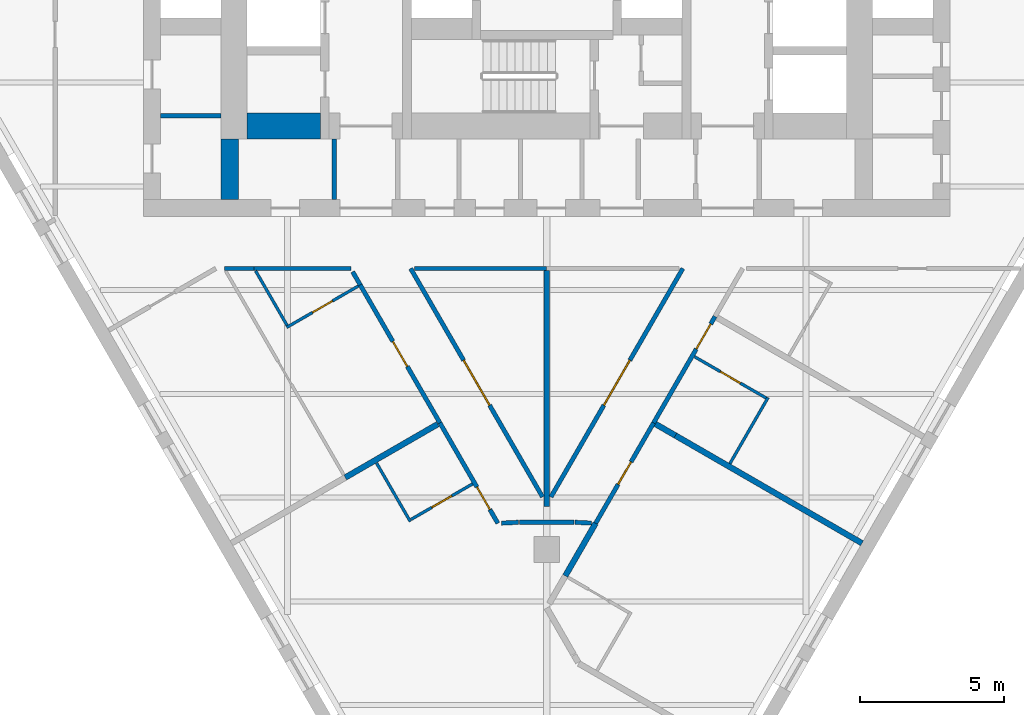
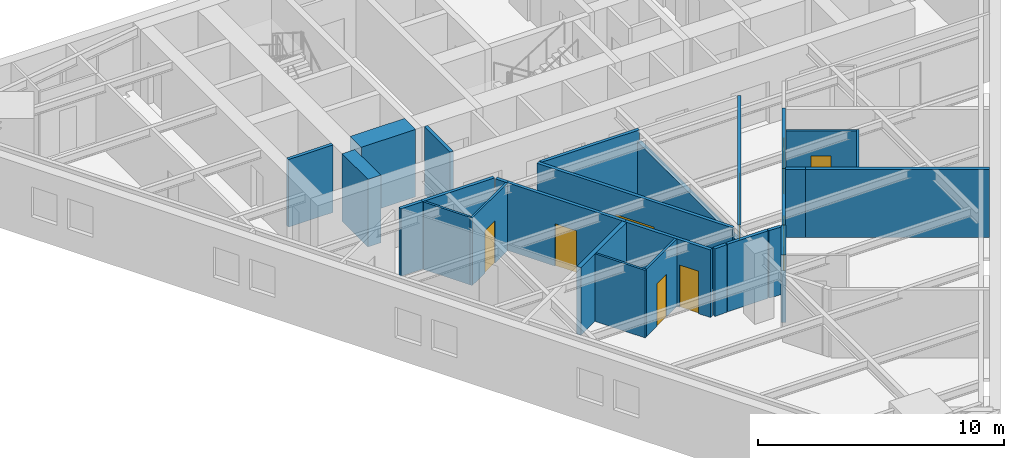
# One storey, part 3 of 9: 28 walls, 9 doors, 9 openings.
"""IFC4 building model written with IfcOpenShell, lengths in metres."""

from ifc_helpers import new_model, si_unit, direction, frame, frame_2d, origin, place, context, subcontext, project, spatial, rectangle, extrude, material, layer, layer_set, type_object, element, fill, save


model = new_model("IFC4")

# Units and contexts
model_context = context("Model", 3, precision=1e-05, world=origin(), true_north=direction((0.0, 1.0)))
body_context = subcontext(model_context, "Body", "Model", "MODEL_VIEW")
ifc_project = project(units=[si_unit("LENGTHUNIT", "METRE"), si_unit("AREAUNIT", "SQUARE_METRE"), si_unit("VOLUMEUNIT", "CUBIC_METRE"), si_unit("PLANEANGLEUNIT", "RADIAN"), si_unit("MASSUNIT", "GRAM", prefix="KILO")], contexts=[model_context])

# Site, building, storey
site_placement = place(None, origin())
site = spatial("IfcSite", under=ifc_project, at=site_placement, CompositionType="ELEMENT")
building_placement = place(site_placement, origin())
building = spatial("IfcBuilding", under=site, at=building_placement, Name="Aloe Facet Convention Tower", CompositionType="ELEMENT")
storey_placement = place(building_placement, frame((0.0, 0.0, 106.300048828125)))
storey = spatial("IfcBuildingStorey", under=building, at=storey_placement, Name="L26", CompositionType="ELEMENT", Elevation=106.300048828125)

# Walls
ifc_material_1 = material(Name="Concrete blockwork partition", Category="masonry")
ifc_layer_1 = layer(ifc_material_1, 0.14990234375)
ifc_layer_set_1 = layer_set([ifc_layer_1], Name="CR-W-PART150")
wall_type_1 = type_object("IfcWallType", Name="CR-W-PART150", PredefinedType="PARTITIONING", material=ifc_layer_set_1)
wall_1_placement = place(storey_placement, frame((66.60009765625, 123.048583984375, 0.0), z_axis=(0.0, 0.0, 1.0), x_axis=(1.0, 0.0, 0.0)))
element("IfcWall", 1, at=wall_1_placement, inside=storey, type_object=wall_type_1, Name="Core partition L26-007", PredefinedType="PARTITIONING", context=body_context, shape_type="SweptSolid", body=[
    extrude(rectangle(XDim=2.099853515625, YDim=0.14990234375, at=frame_2d((1.0498046875, 0.0))), origin(), (0.0, 0.0, 1.0), 3.349853515625),
])
wall_2_placement = place(storey_placement, frame((72.625, 122.25, 0.0), z_axis=(0.0, 0.0, 1.0), x_axis=(0.0, -1.0, 0.0)))
element("IfcWall", 2, at=wall_2_placement, inside=storey, type_object=wall_type_1, Name="Core partition L26-016", PredefinedType="PARTITIONING", context=body_context, shape_type="SweptSolid", body=[
    extrude(rectangle(XDim=2.10009765625, YDim=0.14990234375, at=frame_2d((1.050048828125, 0.0))), origin(), (0.0, 0.0, 1.0), 3.349853515625),
])
ifc_material_2 = material(Name="Concrete C70/85", Category="concrete")
ifc_layer_2 = layer(ifc_material_2, 0.60009765625)
ifc_layer_set_2 = layer_set([ifc_layer_2], Name="CR-W-RC600-C7085")
wall_type_2 = type_object("IfcWallType", Name="CR-W-RC600-C7085", PredefinedType="SOLIDWALL", material=ifc_layer_set_2)
wall_3_placement = place(storey_placement, frame((69.0, 122.25, 0.0), z_axis=(0.0, 0.0, 1.0), x_axis=(0.0, -1.0, 0.0)))
element("IfcWall", 3, at=wall_3_placement, inside=storey, type_object=wall_type_2, Name="Core wall L26-009", PredefinedType="SOLIDWALL", context=body_context, shape_type="SweptSolid", body=[
    extrude(rectangle(XDim=2.10009765625, YDim=0.60009765625, at=frame_2d((1.050048828125, 0.0))), origin(), (0.0, 0.0, 1.0), 3.349853515625),
])
ifc_material_3 = material(Name="Concrete C70/85", Category="concrete")
ifc_layer_3 = layer(ifc_material_3, 0.89990234375)
ifc_layer_set_3 = layer_set([ifc_layer_3], Name="CR-W-RC900-C7085")
wall_type_3 = type_object("IfcWallType", Name="CR-W-RC900-C7085", PredefinedType="SOLIDWALL", material=ifc_layer_set_3)
wall_4_placement = place(storey_placement, frame((69.60009765625, 122.699951171875, 0.0), z_axis=(0.0, 0.0, 1.0), x_axis=(1.0, 0.0, 0.0)))
element("IfcWall", 4, at=wall_4_placement, inside=storey, type_object=wall_type_3, Name="Core wall L26-012", PredefinedType="SOLIDWALL", context=body_context, shape_type="SweptSolid", body=[
    extrude(rectangle(XDim=2.5498046875, YDim=0.89990234375, at=frame_2d((1.27490234375, 0.0))), origin(), (0.0, 0.0, 1.0), 3.349853515625),
])

# Wall, opening, door
ifc_material_4 = material(Name="Gypsum board partition on steel studs", Category="steel")
ifc_layer_4 = layer(ifc_material_4, 0.14990234375)
ifc_layer_set_4 = layer_set([ifc_layer_4], Name="IN-W-CORR")
wall_type_4 = type_object("IfcWallType", Name="IN-W-CORR", PredefinedType="PARTITIONING", material=ifc_layer_set_4)
wall_5_placement = place(storey_placement, frame((76.29248046875, 112.392333984375, 0.0), z_axis=(0.0, 0.0, 1.0), x_axis=(0.500009633848, -0.866019841608, 0.0)))
wall_5 = element("IfcWall", 5, at=wall_5_placement, inside=storey, type_object=wall_type_4, Name="Partition L26-W011", PredefinedType="PARTITIONING", context=body_context, shape_type="SweptSolid", body=[
    extrude(rectangle(XDim=4.02294921875, YDim=0.14990234375, at=frame_2d((2.011474609375, 0.0))), origin(), (0.0, 0.0, 1.0), 3.349853515625),
])
opening_1_placement = place(wall_5_placement, frame((2.570556640625, 0.0, 0.0)))
opening_1 = element("IfcOpeningElement", 6, at=opening_1_placement, cuts=wall_5, Name="Opening L26-003", PredefinedType="OPENING", context=body_context, shape_type="SweptSolid", body=[
    extrude(rectangle(XDim=0.89990234375, YDim=2.10009765625, at=frame_2d((0.449951171875, 1.050048828125))), frame((0.0, 0.0849609375, 0.0), z_axis=(0.0, -1.0, 0.0), x_axis=(1.0, 0.0, 0.0)), (0.0, 0.0, 1.0), 0.169921875),
])
ifc_material_5 = material(Name="Hardwood flush door FD30S", Category="wood")
door_type_1 = type_object("IfcDoorType", Name="IN-D-GUEST", OperationType="SINGLE_SWING_LEFT", PredefinedType="DOOR", material=ifc_material_5)
door_1_placement = place(opening_1_placement, origin())
door_1 = element("IfcDoor", 7, at=door_1_placement, inside=storey, type_object=door_type_1, Name="Door L26-003", OperationType="SINGLE_SWING_LEFT", OverallHeight=2.10009765625, OverallWidth=0.89990234375, PredefinedType="DOOR", context=body_context, shape_type="SweptSolid", body=[
    extrude(rectangle(XDim=0.89990234375, YDim=2.10009765625, at=frame_2d((0.449951171875, 1.050048828125))), frame((0.0, 0.02490234375, 0.0), z_axis=(0.0, -1.0, 0.0), x_axis=(1.0, 0.0, 0.0)), (0.0, 0.0, 1.0), 0.050048828125),
])
fill(opening_1, door_1)

# Walls
wall_6_placement = place(storey_placement, frame((80.9833984375, 108.943359375, 0.0), z_axis=(0.0, 0.0, 1.0), x_axis=(0.998801719891, -0.048940007579, 0.0)))
element("IfcWall", 8, at=wall_6_placement, inside=storey, type_object=wall_type_4, Name="Partition L26-W012", PredefinedType="PARTITIONING", context=body_context, shape_type="SweptSolid", body=[
    extrude(rectangle(XDim=0.57373046875, YDim=0.14990234375, at=frame_2d((0.286865234375, 0.0))), origin(), (0.0, 0.0, 1.0), 3.349853515625),
])
wall_7_placement = place(storey_placement, frame((78.426513671875, 108.914306640625, 0.0), z_axis=(0.0, 0.0, 1.0), x_axis=(0.998790176711, 0.049175023181, 0.0)))
element("IfcWall", 9, at=wall_7_placement, inside=storey, type_object=wall_type_4, Name="Partition L26-W014", PredefinedType="PARTITIONING", context=body_context, shape_type="SweptSolid", body=[
    extrude(rectangle(XDim=0.5908203125, YDim=0.14990234375, at=frame_2d((0.29541015625, 0.0))), origin(), (0.0, 0.0, 1.0), 3.349853515625),
])
wall_8_placement = place(storey_placement, frame((79.050048828125, 108.949951171875, 0.0), z_axis=(0.0, 0.0, 1.0), x_axis=(1.0, 0.0, 0.0)))
element("IfcWall", 10, at=wall_8_placement, inside=storey, type_object=wall_type_4, Name="Partition L26-W015", PredefinedType="PARTITIONING", context=body_context, shape_type="SweptSolid", body=[
    extrude(rectangle(XDim=1.89990234375, YDim=0.14990234375, at=frame_2d((0.949951171875, 0.0))), origin(), (0.0, 0.0, 1.0), 3.349853515625),
])

# Wall, opening, door
wall_9_placement = place(storey_placement, frame((81.696044921875, 108.908447265625, 0.0), z_axis=(0.0, 0.0, 1.0), x_axis=(0.500009633848, 0.866019841608, 0.0)))
wall_9 = element("IfcWall", 11, at=wall_9_placement, inside=storey, type_object=wall_type_4, Name="Partition L26-W029", PredefinedType="PARTITIONING", context=body_context, shape_type="SweptSolid", body=[
    extrude(rectangle(XDim=4.02294921875, YDim=0.14990234375, at=frame_2d((2.011474609375, 0.0))), origin(), (0.0, 0.0, 1.0), 3.349853515625),
])
opening_2_placement = place(wall_9_placement, frame((1.5615234375, 0.0, 0.0)))
opening_2 = element("IfcOpeningElement", 12, at=opening_2_placement, cuts=wall_9, Name="Opening L26-004", PredefinedType="OPENING", context=body_context, shape_type="SweptSolid", body=[
    extrude(rectangle(XDim=0.89990234375, YDim=2.10009765625, at=frame_2d((0.449951171875, 1.050048828125))), frame((0.0, 0.0849609375, 0.0), z_axis=(0.0, -1.0, 0.0), x_axis=(1.0, 0.0, 0.0)), (0.0, 0.0, 1.0), 0.169921875),
])
door_2_placement = place(opening_2_placement, origin())
door_2 = element("IfcDoor", 13, at=door_2_placement, inside=storey, type_object=door_type_1, Name="Door L26-004", OperationType="SINGLE_SWING_LEFT", OverallHeight=2.10009765625, OverallWidth=0.89990234375, PredefinedType="DOOR", context=body_context, shape_type="SweptSolid", body=[
    extrude(rectangle(XDim=0.89990234375, YDim=2.10009765625, at=frame_2d((0.449951171875, 1.050048828125))), frame((0.0, 0.02490234375, 0.0), z_axis=(0.0, -1.0, 0.0), x_axis=(1.0, 0.0, 0.0)), (0.0, 0.0, 1.0), 0.050048828125),
])
fill(opening_2, door_2)

wall_10_placement = place(storey_placement, frame((83.70751953125, 112.392333984375, 0.0), z_axis=(0.0, 0.0, 1.0), x_axis=(0.500042931351, 0.866000615939, 0.0)))
wall_10 = element("IfcWall", 14, at=wall_10_placement, inside=storey, type_object=wall_type_4, Name="Partition L26-W037", PredefinedType="PARTITIONING", context=body_context, shape_type="SweptSolid", body=[
    extrude(rectangle(XDim=4.264404296875, YDim=0.14990234375, at=frame_2d((2.13232421875, 0.0))), origin(), (0.0, 0.0, 1.0), 3.349853515625),
])
opening_3_placement = place(wall_10_placement, frame((2.96435546875, 0.0, 0.0)))
opening_3 = element("IfcOpeningElement", 15, at=opening_3_placement, cuts=wall_10, Name="Opening L26-005", PredefinedType="OPENING", context=body_context, shape_type="SweptSolid", body=[
    extrude(rectangle(XDim=1.0, YDim=2.10009765625, at=frame_2d((0.5, 1.050048828125))), frame((0.0, 0.0849609375, 0.0), z_axis=(0.0, -1.0, 0.0), x_axis=(1.0, 0.0, 0.0)), (0.0, 0.0, 1.0), 0.169921875),
])
ifc_material_6 = material(Name="Hardwood flush door FD30S", Category="wood")
door_type_2 = type_object("IfcDoorType", Name="IN-D-WIDE", OperationType="SINGLE_SWING_LEFT", PredefinedType="DOOR", material=ifc_material_6)
door_3_placement = place(opening_3_placement, origin())
door_3 = element("IfcDoor", 16, at=door_3_placement, inside=storey, type_object=door_type_2, Name="Door L26-005", OperationType="SINGLE_SWING_LEFT", OverallHeight=2.10009765625, OverallWidth=1.0, PredefinedType="DOOR", context=body_context, shape_type="SweptSolid", body=[
    extrude(rectangle(XDim=1.0, YDim=2.10009765625, at=frame_2d((0.5, 1.050048828125))), frame((0.0, 0.02490234375, 0.0), z_axis=(0.0, -1.0, 0.0), x_axis=(1.0, 0.0, 0.0)), (0.0, 0.0, 1.0), 0.050048828125),
])
fill(opening_3, door_3)

wall_11_placement = place(storey_placement, frame((73.528076171875, 117.18017578125, 0.0), z_axis=(0.0, 0.0, 1.0), x_axis=(0.500019337512, -0.866014238979, 0.0)))
wall_11 = element("IfcWall", 17, at=wall_11_placement, inside=storey, type_object=wall_type_4, Name="Partition L26-W040", PredefinedType="PARTITIONING", context=body_context, shape_type="SweptSolid", body=[
    extrude(rectangle(XDim=5.528564453125, YDim=0.14990234375, at=frame_2d((2.76416015625, 0.0))), origin(), (0.0, 0.0, 1.0), 3.349853515625),
])
opening_4_placement = place(wall_11_placement, frame((2.264404296875, 0.0, 0.0)))
opening_4 = element("IfcOpeningElement", 18, at=opening_4_placement, cuts=wall_11, Name="Opening L26-010", PredefinedType="OPENING", context=body_context, shape_type="SweptSolid", body=[
    extrude(rectangle(XDim=1.0, YDim=2.10009765625, at=frame_2d((0.5, 1.050048828125))), frame((0.0, 0.0849609375, 0.0), z_axis=(0.0, -1.0, 0.0), x_axis=(1.0, 0.0, 0.0)), (0.0, 0.0, 1.0), 0.169921875),
])
door_4_placement = place(opening_4_placement, origin())
door_4 = element("IfcDoor", 19, at=door_4_placement, inside=storey, type_object=door_type_2, Name="Door L26-010", OperationType="SINGLE_SWING_LEFT", OverallHeight=2.10009765625, OverallWidth=1.0, PredefinedType="DOOR", context=body_context, shape_type="SweptSolid", body=[
    extrude(rectangle(XDim=1.0, YDim=2.10009765625, at=frame_2d((0.5, 1.050048828125))), frame((0.0, 0.02490234375, 0.0), z_axis=(0.0, -1.0, 0.0), x_axis=(1.0, 0.0, 0.0)), (0.0, 0.0, 1.0), 0.050048828125),
])
fill(opening_4, door_4)

# Walls
wall_12_placement = place(storey_placement, frame((68.811279296875, 117.75, 0.0), z_axis=(0.0, 0.0, 1.0), x_axis=(1.0, 0.0, 0.0)))
element("IfcWall", 20, at=wall_12_placement, inside=storey, type_object=wall_type_4, Name="Partition L26-W043", PredefinedType="PARTITIONING", context=body_context, shape_type="SweptSolid", body=[
    extrude(rectangle(XDim=1.039306640625, YDim=0.14990234375, at=frame_2d((0.51953125, 0.0))), origin(), (0.0, 0.0, 1.0), 3.349853515625),
])
wall_13_placement = place(storey_placement, frame((69.8505859375, 117.75, 0.0), z_axis=(0.0, 0.0, 1.0), x_axis=(1.0, 0.0, 0.0)))
element("IfcWall", 21, at=wall_13_placement, inside=storey, type_object=wall_type_4, Name="Partition L26-W046", PredefinedType="PARTITIONING", context=body_context, shape_type="SweptSolid", body=[
    extrude(rectangle(XDim=3.3486328125, YDim=0.14990234375, at=frame_2d((1.67431640625, 0.0))), origin(), (0.0, 0.0, 1.0), 3.349853515625),
])
wall_14_placement = place(storey_placement, frame((73.26416015625, 117.637451171875, 0.0), z_axis=(0.0, 0.0, 1.0), x_axis=(0.499869228027, -0.866100891855, 0.0)))
element("IfcWall", 22, at=wall_14_placement, inside=storey, type_object=wall_type_4, Name="Partition L26-W047", PredefinedType="PARTITIONING", context=body_context, shape_type="SweptSolid", body=[
    extrude(rectangle(XDim=0.528076171875, YDim=0.14990234375, at=frame_2d((0.26416015625, 0.0))), origin(), (0.0, 0.0, 1.0), 3.349853515625),
])

# Wall, opening, door
wall_15_placement = place(storey_placement, frame((75.277587890625, 117.75, 0.0), z_axis=(0.0, 0.0, 1.0), x_axis=(0.500002547313, -0.866023933087, 0.0)))
wall_15 = element("IfcWall", 23, at=wall_15_placement, inside=storey, type_object=wall_type_4, Name="Partition L26-W048", PredefinedType="PARTITIONING", context=body_context, shape_type="SweptSolid", body=[
    extrude(rectangle(XDim=9.15478515625, YDim=0.14990234375, at=frame_2d((4.577392578125, 0.0))), origin(), (0.0, 0.0, 1.0), 3.349853515625),
])
opening_5_placement = place(wall_15_placement, frame((3.677490234375, 0.0, 0.0)))
opening_5 = element("IfcOpeningElement", 24, at=opening_5_placement, cuts=wall_15, Name="Opening L26-008", PredefinedType="OPENING", context=body_context, shape_type="SweptSolid", body=[
    extrude(rectangle(XDim=1.800048828125, YDim=2.10009765625, at=frame_2d((0.89990234375, 1.050048828125))), frame((0.0, 0.0849609375, 0.0), z_axis=(0.0, -1.0, 0.0), x_axis=(1.0, 0.0, 0.0)), (0.0, 0.0, 1.0), 0.169921875),
])
ifc_material_7 = material(Name="Timber flush door pair", Category="wood")
door_type_3 = type_object("IfcDoorType", Name="IN-D-PAIR-U", OperationType="DOUBLE_DOOR_SINGLE_SWING", PredefinedType="DOOR", material=ifc_material_7)
door_5_placement = place(opening_5_placement, origin())
door_5 = element("IfcDoor", 25, at=door_5_placement, inside=storey, type_object=door_type_3, Name="Door L26-008", OperationType="SINGLE_SWING_LEFT", OverallHeight=2.10009765625, OverallWidth=1.800048828125, PredefinedType="DOOR", context=body_context, shape_type="SweptSolid", body=[
    extrude(rectangle(XDim=1.800048828125, YDim=2.10009765625, at=frame_2d((0.89990234375, 1.050048828125))), frame((0.0, 0.02490234375, 0.0), z_axis=(0.0, -1.0, 0.0), x_axis=(1.0, 0.0, 0.0)), (0.0, 0.0, 1.0), 0.050048828125),
])
fill(opening_5, door_5)

# Wall
wall_16_placement = place(storey_placement, frame((75.407470703125, 117.75, 0.0), z_axis=(0.0, 0.0, 1.0), x_axis=(1.0, 0.0, 0.0)))
element("IfcWall", 26, at=wall_16_placement, inside=storey, type_object=wall_type_4, Name="Partition L26-W049", PredefinedType="PARTITIONING", context=body_context, shape_type="SweptSolid", body=[
    extrude(rectangle(XDim=4.592529296875, YDim=0.14990234375, at=frame_2d((2.29638671875, 0.0))), origin(), (0.0, 0.0, 1.0), 3.349853515625),
])

# Wall, opening, door
wall_17_placement = place(storey_placement, frame((80.14501953125, 109.82177734375, 0.0), z_axis=(0.0, 0.0, 1.0), x_axis=(0.500002547313, 0.866023933087, 0.0)))
wall_17 = element("IfcWall", 27, at=wall_17_placement, inside=storey, type_object=wall_type_4, Name="Partition L26-W050", PredefinedType="PARTITIONING", context=body_context, shape_type="SweptSolid", body=[
    extrude(rectangle(XDim=9.15478515625, YDim=0.14990234375, at=frame_2d((4.577392578125, 0.0))), origin(), (0.0, 0.0, 1.0), 3.349853515625),
])
opening_6_placement = place(wall_17_placement, frame((3.677490234375, 0.0, 0.0)))
opening_6 = element("IfcOpeningElement", 28, at=opening_6_placement, cuts=wall_17, Name="Opening L26-009", PredefinedType="OPENING", context=body_context, shape_type="SweptSolid", body=[
    extrude(rectangle(XDim=1.800048828125, YDim=2.10009765625, at=frame_2d((0.89990234375, 1.050048828125))), frame((0.0, 0.0849609375, 0.0), z_axis=(0.0, -1.0, 0.0), x_axis=(1.0, 0.0, 0.0)), (0.0, 0.0, 1.0), 0.169921875),
])
door_6_placement = place(opening_6_placement, origin())
door_6 = element("IfcDoor", 29, at=door_6_placement, inside=storey, type_object=door_type_3, Name="Door L26-009", OperationType="SINGLE_SWING_LEFT", OverallHeight=2.10009765625, OverallWidth=1.800048828125, PredefinedType="DOOR", context=body_context, shape_type="SweptSolid", body=[
    extrude(rectangle(XDim=1.800048828125, YDim=2.10009765625, at=frame_2d((0.89990234375, 1.050048828125))), frame((0.0, 0.02490234375, 0.0), z_axis=(0.0, -1.0, 0.0), x_axis=(1.0, 0.0, 0.0)), (0.0, 0.0, 1.0), 0.050048828125),
])
fill(opening_6, door_6)

# Wall
ifc_material_8 = material(Name="Gypsum board partition on steel studs", Category="steel")
ifc_layer_5 = layer(ifc_material_8, 0.10009765625)
ifc_layer_set_5 = layer_set([ifc_layer_5], Name="IN-W-PART")
wall_type_5 = type_object("IfcWallType", Name="IN-W-PART", PredefinedType="PARTITIONING", material=ifc_layer_set_5)
wall_18_placement = place(storey_placement, frame((74.095703125, 110.9970703125, 0.0), z_axis=(0.0, 0.0, 1.0), x_axis=(0.499954256575, -0.866051812152, 0.0)))
element("IfcWall", 30, at=wall_18_placement, inside=storey, type_object=wall_type_5, Name="Partition L26-W016", PredefinedType="PARTITIONING", context=body_context, shape_type="SweptSolid", body=[
    extrude(rectangle(XDim=2.340087890625, YDim=0.10009765625, at=frame_2d((1.169921875, 0.0))), origin(), (0.0, 0.0, 1.0), 3.349853515625),
])

# Wall, opening, door
wall_19_placement = place(storey_placement, frame((75.292724609375, 109.043701171875, 0.0), z_axis=(0.0, 0.0, 1.0), x_axis=(0.865997559407, 0.500048224776, 0.0)))
wall_19 = element("IfcWall", 31, at=wall_19_placement, inside=storey, type_object=wall_type_5, Name="Partition L26-W018", PredefinedType="PARTITIONING", context=body_context, shape_type="SweptSolid", body=[
    extrude(rectangle(XDim=2.465087890625, YDim=0.10009765625, at=frame_2d((1.232421875, 0.0))), origin(), (0.0, 0.0, 1.0), 3.349853515625),
])
opening_7_placement = place(wall_19_placement, frame((0.83251953125, 0.0, 0.0)))
opening_7 = element("IfcOpeningElement", 32, at=opening_7_placement, cuts=wall_19, Name="Opening L26-014", PredefinedType="OPENING", context=body_context, shape_type="SweptSolid", body=[
    extrude(rectangle(XDim=0.800048828125, YDim=2.10009765625, at=frame_2d((0.39990234375, 1.050048828125))), frame((0.0, 0.06005859375, 0.0), z_axis=(0.0, -1.0, 0.0), x_axis=(1.0, 0.0, 0.0)), (0.0, 0.0, 1.0), 0.1201171875),
])
ifc_material_9 = material(Name="Timber flush door", Category="wood")
door_type_4 = type_object("IfcDoorType", Name="IN-D-BATH", OperationType="SINGLE_SWING_LEFT", PredefinedType="DOOR", material=ifc_material_9)
door_7_placement = place(opening_7_placement, origin())
door_7 = element("IfcDoor", 33, at=door_7_placement, inside=storey, type_object=door_type_4, Name="Door L26-014", OperationType="SINGLE_SWING_LEFT", OverallHeight=2.10009765625, OverallWidth=0.800048828125, PredefinedType="DOOR", context=body_context, shape_type="SweptSolid", body=[
    extrude(rectangle(XDim=0.800048828125, YDim=2.10009765625, at=frame_2d((0.39990234375, 1.050048828125))), frame((0.0, 0.02490234375, 0.0), z_axis=(0.0, -1.0, 0.0), x_axis=(1.0, 0.0, 0.0)), (0.0, 0.0, 1.0), 0.050048828125),
])
fill(opening_7, door_7)

# Wall
wall_20_placement = place(storey_placement, frame((86.355712890625, 110.978759765625, 0.0), z_axis=(0.0, 0.0, 1.0), x_axis=(0.499953715521, 0.866052124492, 0.0)))
element("IfcWall", 34, at=wall_20_placement, inside=storey, type_object=wall_type_5, Name="Partition L26-W032", PredefinedType="PARTITIONING", context=body_context, shape_type="SweptSolid", body=[
    extrude(rectangle(XDim=2.650146484375, YDim=0.10009765625, at=frame_2d((1.3251953125, 0.0))), origin(), (0.0, 0.0, 1.0), 3.349853515625),
])

# Wall, opening, door
wall_21_placement = place(storey_placement, frame((85.131103515625, 114.68798828125, 0.0), z_axis=(0.0, 0.0, 1.0), x_axis=(0.866047940603, -0.499960963054, 0.0)))
wall_21 = element("IfcWall", 35, at=wall_21_placement, inside=storey, type_object=wall_type_5, Name="Partition L26-W035", PredefinedType="PARTITIONING", context=body_context, shape_type="SweptSolid", body=[
    extrude(rectangle(XDim=2.864990234375, YDim=0.10009765625, at=frame_2d((1.4326171875, 0.0))), origin(), (0.0, 0.0, 1.0), 3.349853515625),
])
opening_8_placement = place(wall_21_placement, frame((1.032470703125, 0.0, 0.0)))
opening_8 = element("IfcOpeningElement", 36, at=opening_8_placement, cuts=wall_21, Name="Opening L26-016", PredefinedType="OPENING", context=body_context, shape_type="SweptSolid", body=[
    extrude(rectangle(XDim=0.800048828125, YDim=2.10009765625, at=frame_2d((0.39990234375, 1.050048828125))), frame((0.0, 0.06005859375, 0.0), z_axis=(0.0, -1.0, 0.0), x_axis=(1.0, 0.0, 0.0)), (0.0, 0.0, 1.0), 0.1201171875),
])
door_8_placement = place(opening_8_placement, origin())
door_8 = element("IfcDoor", 37, at=door_8_placement, inside=storey, type_object=door_type_4, Name="Door L26-016", OperationType="SINGLE_SWING_LEFT", OverallHeight=2.10009765625, OverallWidth=0.800048828125, PredefinedType="DOOR", context=body_context, shape_type="SweptSolid", body=[
    extrude(rectangle(XDim=0.800048828125, YDim=2.10009765625, at=frame_2d((0.39990234375, 1.050048828125))), frame((0.0, 0.02490234375, 0.0), z_axis=(0.0, -1.0, 0.0), x_axis=(1.0, 0.0, 0.0)), (0.0, 0.0, 1.0), 0.050048828125),
])
fill(opening_8, door_8)

wall_22_placement = place(storey_placement, frame((70.973388671875, 115.705078125, 0.0), z_axis=(0.0, 0.0, 1.0), x_axis=(0.866018712932, 0.500011588718, 0.0)))
wall_22 = element("IfcWall", 38, at=wall_22_placement, inside=storey, type_object=wall_type_5, Name="Partition L26-W036", PredefinedType="PARTITIONING", context=body_context, shape_type="SweptSolid", body=[
    extrude(rectangle(XDim=2.875, YDim=0.10009765625, at=frame_2d((1.4375, 0.0))), origin(), (0.0, 0.0, 1.0), 3.349853515625),
])
opening_9_placement = place(wall_22_placement, frame((1.03759765625, 0.0, 0.0)))
opening_9 = element("IfcOpeningElement", 39, at=opening_9_placement, cuts=wall_22, Name="Opening L26-012", PredefinedType="OPENING", context=body_context, shape_type="SweptSolid", body=[
    extrude(rectangle(XDim=0.800048828125, YDim=2.10009765625, at=frame_2d((0.39990234375, 1.050048828125))), frame((0.0, 0.06005859375, 0.0), z_axis=(0.0, -1.0, 0.0), x_axis=(1.0, 0.0, 0.0)), (0.0, 0.0, 1.0), 0.1201171875),
])
door_9_placement = place(opening_9_placement, origin())
door_9 = element("IfcDoor", 40, at=door_9_placement, inside=storey, type_object=door_type_4, Name="Door L26-012", OperationType="SINGLE_SWING_LEFT", OverallHeight=2.10009765625, OverallWidth=0.800048828125, PredefinedType="DOOR", context=body_context, shape_type="SweptSolid", body=[
    extrude(rectangle(XDim=0.800048828125, YDim=2.10009765625, at=frame_2d((0.39990234375, 1.050048828125))), frame((0.0, 0.02490234375, 0.0), z_axis=(0.0, -1.0, 0.0), x_axis=(1.0, 0.0, 0.0)), (0.0, 0.0, 1.0), 0.050048828125),
])
fill(opening_9, door_9)

# Walls
wall_23_placement = place(storey_placement, frame((69.89794921875, 117.667724609375, 0.0), z_axis=(0.0, 0.0, 1.0), x_axis=(0.500028399337, -0.866009006799, 0.0)))
element("IfcWall", 41, at=wall_23_placement, inside=storey, type_object=wall_type_5, Name="Partition L26-W045", PredefinedType="PARTITIONING", context=body_context, shape_type="SweptSolid", body=[
    extrude(rectangle(XDim=2.187255859375, YDim=0.10009765625, at=frame_2d((1.09375, 0.0))), origin(), (0.0, 0.0, 1.0), 3.349853515625),
])
ifc_material_10 = material(Name="Gypsum board partition on steel studs", Category="steel")
ifc_layer_6 = layer(ifc_material_10, 0.199951171875)
ifc_layer_set_6 = layer_set([ifc_layer_6], Name="IN-W-PARTY")
wall_type_6 = type_object("IfcWallType", Name="IN-W-PARTY", PredefinedType="PARTITIONING", material=ifc_layer_set_6)
wall_24_placement = place(storey_placement, frame((84.46533203125, 111.954833984375, 0.0), z_axis=(0.0, 0.0, 1.0), x_axis=(0.866025682925, -0.499999516514, 0.0)))
element("IfcWall", 42, at=wall_24_placement, inside=storey, type_object=wall_type_6, Name="Partition L26-W010", PredefinedType="PARTITIONING", context=body_context, shape_type="SweptSolid", body=[
    extrude(rectangle(XDim=7.47509765625, YDim=0.199951171875, at=frame_2d((3.737548828125, 0.0))), origin(), (0.0, 0.0, 1.0), 3.349853515625),
])
wall_25_placement = place(storey_placement, frame((80.643310546875, 107.084716796875, 0.0), z_axis=(0.0, 0.0, 1.0), x_axis=(0.499929868688, 0.86606589033, 0.0)))
element("IfcWall", 43, at=wall_25_placement, inside=storey, type_object=wall_type_6, Name="Partition L26-W013", PredefinedType="PARTITIONING", context=body_context, shape_type="SweptSolid", body=[
    extrude(rectangle(XDim=2.105712890625, YDim=0.199951171875, at=frame_2d((1.052734375, 0.0))), origin(), (0.0, 0.0, 1.0), 3.349853515625),
])
wall_26_placement = place(storey_placement, frame((80.0, 109.49560546875, 0.0), z_axis=(0.0, 0.0, 1.0), x_axis=(0.0, 1.0, 0.0)))
element("IfcWall", 44, at=wall_26_placement, inside=storey, type_object=wall_type_6, Name="Partition L26-W017", PredefinedType="PARTITIONING", context=body_context, shape_type="SweptSolid", body=[
    extrude(rectangle(XDim=8.179443359375, YDim=0.199951171875, at=frame_2d((4.08984375, 0.0))), origin(), (0.0, 0.0, 1.0), 2.800537109375),
])
wall_27_placement = place(storey_placement, frame((83.7724609375, 112.354736328125, 0.0), z_axis=(0.0, 0.0, 1.0), x_axis=(0.866094119867, -0.499880961361, 0.0)))
element("IfcWall", 45, at=wall_27_placement, inside=storey, type_object=wall_type_6, Name="Partition L26-W021", PredefinedType="PARTITIONING", context=body_context, shape_type="SweptSolid", body=[
    extrude(rectangle(XDim=0.800048828125, YDim=0.199951171875, at=frame_2d((0.39990234375, 0.0))), origin(), (0.0, 0.0, 1.0), 3.349853515625),
])
wall_28_placement = place(storey_placement, frame((73.01025390625, 110.497314453125, 0.0), z_axis=(0.0, 0.0, 1.0), x_axis=(0.866012199007, 0.500022870649, 0.0)))
element("IfcWall", 46, at=wall_28_placement, inside=storey, type_object=wall_type_6, Name="Partition L26-W028", PredefinedType="PARTITIONING", context=body_context, shape_type="SweptSolid", body=[
    extrude(rectangle(XDim=3.704833984375, YDim=0.199951171875, at=frame_2d((1.8525390625, 0.0))), origin(), (0.0, 0.0, 1.0), 3.349853515625),
])

save(model, "model.ifc")
